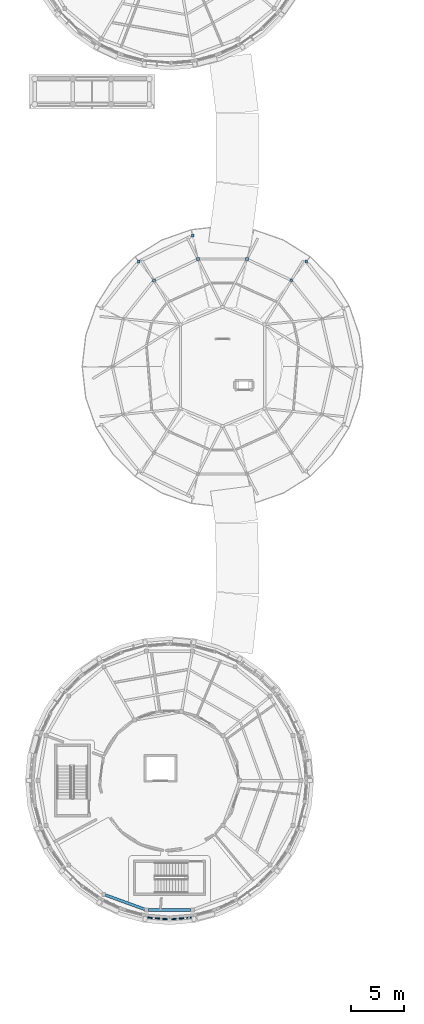
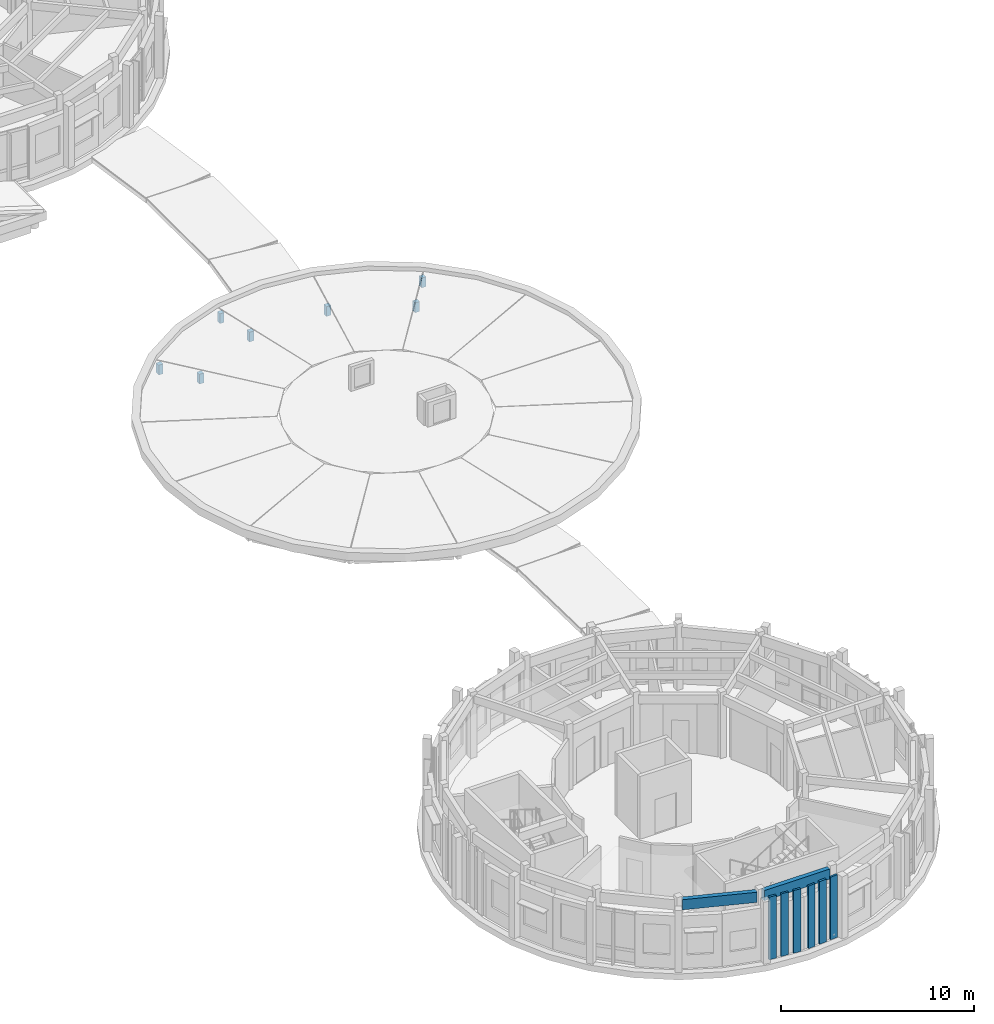
# One storey, part 6 of 58: 7 columns, 6 members, 2 beams.
"""IFC4 building model written with IfcOpenShell, lengths in metres."""

from ifc_helpers import new_model, si_unit, direction, frame, origin, origin_2d, place, context, subcontext, project, spatial, rectangle, extrude, material, material_profile, profile_set, type_object, element, save


model = new_model("IFC4")

# Units and contexts
model_context = context("Model", 3, precision=1e-05, world=origin(), true_north=direction((0.0, 1.0)))
body_context = subcontext(model_context, "Body", "Model", "MODEL_VIEW")
ifc_project = project(units=[si_unit("LENGTHUNIT", "METRE"), si_unit("AREAUNIT", "SQUARE_METRE"), si_unit("VOLUMEUNIT", "CUBIC_METRE"), si_unit("PLANEANGLEUNIT", "RADIAN"), si_unit("MASSUNIT", "GRAM", prefix="KILO")], contexts=[model_context])

# Site, building, storey
site_placement = place(None, origin())
site = spatial("IfcSite", under=ifc_project, at=site_placement, CompositionType="ELEMENT")
building_placement = place(site_placement, origin())
building = spatial("IfcBuilding", under=site, at=building_placement, Name="Aldenvaro Health Centre", CompositionType="ELEMENT")
storey_placement = place(building_placement, frame((0.0, 0.0, 8.75)))
storey = spatial("IfcBuildingStorey", under=building, at=storey_placement, Name="L02", CompositionType="ELEMENT", Elevation=8.75)

# Columns
ifc_material = material(Name="Glulam GL28h", Category="wood")
ifc_material_profile_1 = material_profile(ifc_material, rectangle(XDim=0.264892578125, YDim=0.264892578125, at=origin_2d()), Name="GL 265x265", Category="wood")
ifc_profile_set_1 = profile_set([ifc_material_profile_1], Name="Glulam GL28h")
column_type = type_object("IfcColumnType", Name="COL-GL-265E", PredefinedType="COLUMN", material=ifc_profile_set_1)
for number, where, z_axis, x_axis, name in (
    (1, (29.971923828125, 65.614990234375, 0.0), (0.0, 0.0, 1.0), (1.0, 0.0, 0.0), "D3 Roof Eave Post 03"),
    (2, (25.81005859375, 67.6201171875, 0.0), (0.0, 0.0, 1.0), (1.0, 0.0, 0.0), "D3 Roof Eave Post 04"),
    (3, (21.18994140625, 67.6201171875, 0.0), (0.0, 0.0, 1.0), (1.0, 0.0, 0.0), "D3 Roof Eave Post 05"),
    (4, (17.028076171875, 65.614990234375, 0.0), (0.0, 0.0, 1.0), (1.0, 0.0, 0.0), "D3 Roof Eave Post 06"),
    (5, (31.386962890625, 67.389892578125, 0.0), (0.0, 0.0, 1.0), (1.0, 0.0, 0.0), "Garden Pavilion Peristyle Eave Post 03"),
    (6, (20.68505859375, 69.8330078125, 0.0), (0.0, 0.0, 1.0), (1.0, 0.0, 0.0), "Garden Pavilion Peristyle Eave Post 05"),
    (7, (15.613037109375, 67.389892578125, 0.0), (0.0, 0.0, 1.0), (1.0, 0.0, 0.0), "Garden Pavilion Peristyle Eave Post 06"),
):
    element("IfcColumn", number, at=place(storey_placement, frame(where, z_axis=z_axis, x_axis=x_axis)), inside=storey, type_object=column_type, Name=name, PredefinedType="COLUMN", context=body_context, shape_type="SweptSolid", body=[
        extrude(rectangle(XDim=0.264892578125, YDim=0.264892578125, at=origin_2d()), origin(), (0.0, 0.0, 1.0), 0.6201171875),
    ])

# Beams
ifc_material_profile_2 = material_profile(ifc_material, rectangle(XDim=0.264892578125, YDim=0.64599609375, at=origin_2d()), Name="GL 265x646", Category="wood")
ifc_profile_set_2 = profile_set([ifc_material_profile_2], Name="Glulam GL28h")
beam_type = type_object("IfcBeamType", Name="BM-GL-646", PredefinedType="SPANDREL", material=ifc_profile_set_2)
beam_1_placement = place(storey_placement, frame((12.48095703125, 7.717041015625, 3.652099609375), z_axis=(0.939613987037, -0.342236110549, 0.0), x_axis=(0.342236110549, 0.939613987037, 0.0)))
element("IfcBeam", 8, at=beam_1_placement, inside=storey, type_object=beam_type, Name="D5 L02 perimeter spandrel 13", PredefinedType="SPANDREL", context=body_context, shape_type="SweptSolid", body=[
    extrude(rectangle(XDim=0.264892578125, YDim=0.64599609375, at=origin_2d()), origin(), (0.0, 0.0, 1.0), 3.935546875),
])
beam_2_placement = place(storey_placement, frame((16.532958984375, 6.30810546875, 3.652099609375), z_axis=(1.0, 0.0, 0.0), x_axis=(0.0, 1.0, 0.0)))
element("IfcBeam", 9, at=beam_2_placement, inside=storey, type_object=beam_type, Name="D5 L02 perimeter spandrel 14", PredefinedType="SPANDREL", context=body_context, shape_type="SweptSolid", body=[
    extrude(rectangle(XDim=0.264892578125, YDim=0.64599609375, at=origin_2d()), origin(), (0.0, 0.0, 1.0), 3.93408203125),
])

# Members
ifc_material_profile_3 = material_profile(ifc_material, rectangle(XDim=0.114990234375, YDim=0.419921875, at=origin_2d()), Name="GL 115x420", Category="wood")
ifc_profile_set_3 = profile_set([ifc_material_profile_3], Name="Glulam GL28h")
member_type_1 = type_object("IfcMemberType", Name="MEM-SLT-420A", PredefinedType="POST", material=ifc_profile_set_3)
for number, where, z_axis, x_axis, name in (
    (10, (20.3369140625, 5.5849609375, 0.0), (0.0, 0.0, 1.0), (0.087166950289, -0.996193717495, 0.0), "D5 L02 vertical timber slat 9.1"),
    (11, (18.93408203125, 5.4619140625, 0.0), (0.0, 0.0, 1.0), (0.087166950289, -0.996193717495, 0.0), "D5 L02 vertical timber slat 9.3"),
    (12, (17.364990234375, 5.52392578125, 0.0), (0.0, 0.0, 1.0), (-0.087166950289, -0.996193717495, 0.0), "D5 L02 vertical timber slat 10.2"),
):
    element("IfcMember", number, at=place(storey_placement, frame(where, z_axis=z_axis, x_axis=x_axis)), inside=storey, type_object=member_type_1, Name=name, PredefinedType="POST", context=body_context, shape_type="SweptSolid", body=[
        extrude(rectangle(XDim=0.114990234375, YDim=0.419921875, at=origin_2d()), origin(), (0.0, 0.0, 1.0), 3.97509765625),
    ])
ifc_material_profile_4 = material_profile(ifc_material, rectangle(XDim=0.1298828125, YDim=0.419921875, at=origin_2d()), Name="GL 130x420", Category="wood")
ifc_profile_set_4 = profile_set([ifc_material_profile_4], Name="Glulam GL28h")
member_type_2 = type_object("IfcMemberType", Name="MEM-SLT-420B", PredefinedType="POST", material=ifc_profile_set_4)
for number, where, z_axis, x_axis, name in (
    (13, (19.635009765625, 5.52392578125, 0.0), (0.0, 0.0, 1.0), (0.087166950289, -0.996193717495, 0.0), "D5 L02 vertical timber slat 9.2"),
    (14, (18.06591796875, 5.4619140625, 0.0), (0.0, 0.0, 1.0), (-0.087166950289, -0.996193717495, 0.0), "D5 L02 vertical timber slat 10.1"),
    (15, (16.6630859375, 5.5849609375, 0.0), (0.0, 0.0, 1.0), (-0.087166950289, -0.996193717495, 0.0), "D5 L02 vertical timber slat 10.3"),
):
    element("IfcMember", number, at=place(storey_placement, frame(where, z_axis=z_axis, x_axis=x_axis)), inside=storey, type_object=member_type_2, Name=name, PredefinedType="POST", context=body_context, shape_type="SweptSolid", body=[
        extrude(rectangle(XDim=0.1298828125, YDim=0.419921875, at=origin_2d()), origin(), (0.0, 0.0, 1.0), 3.97509765625),
    ])

save(model, "model.ifc")
